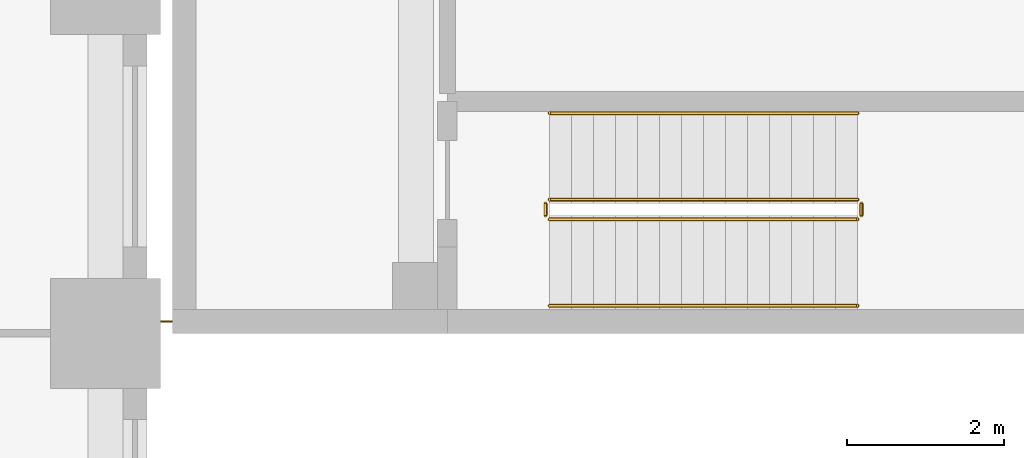
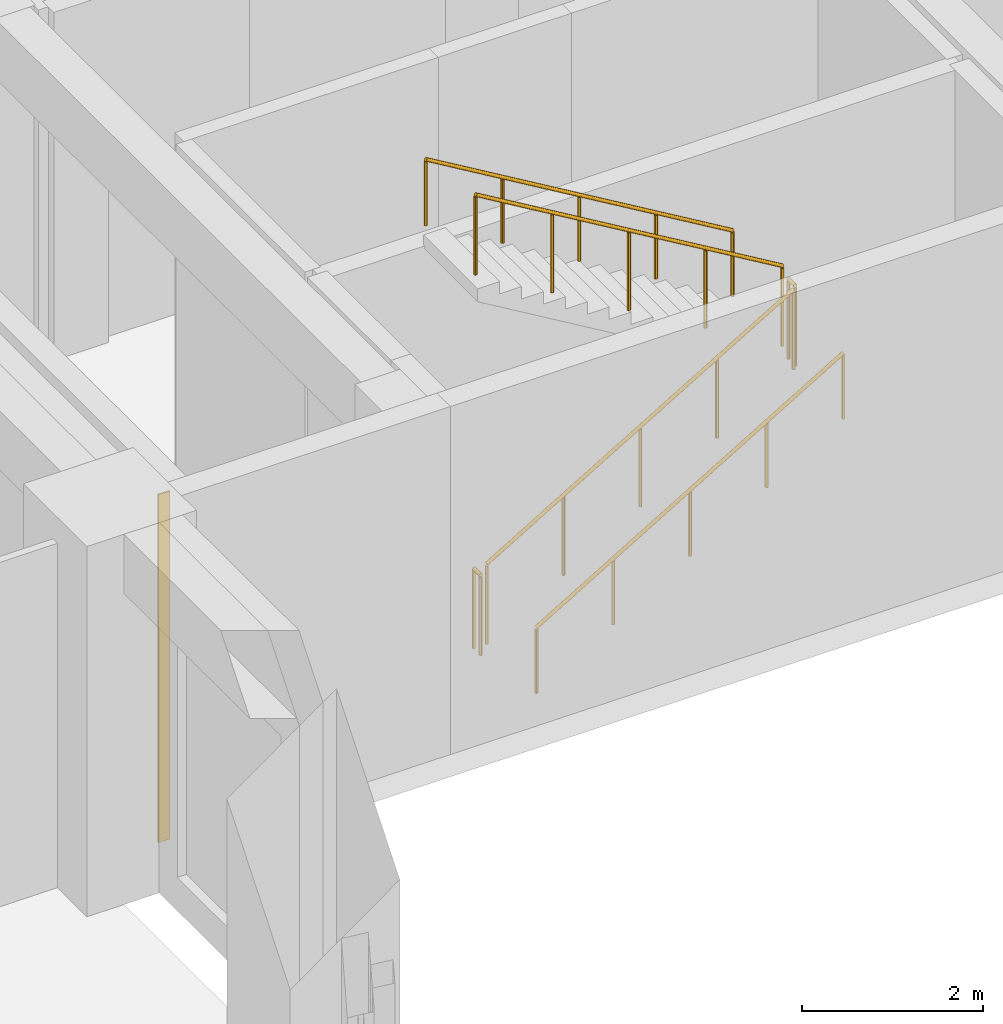
# One storey, part 21 of 25: 6 railings, 1 covering.
"""IFC4 building model written with IfcOpenShell, lengths in metres."""

from ifc_helpers import new_model, si_unit, direction, frame, origin, origin_2d, place, context, subcontext, project, spatial, rectangle, circle, extrude, material, layer, layer_set, type_object, element, save


model = new_model("IFC4")

# Units and contexts
model_context = context("Model", 3, precision=1e-05, world=origin(), true_north=direction((0.0, 1.0)))
body_context = subcontext(model_context, "Body", "Model", "MODEL_VIEW")
ifc_project = project(units=[si_unit("LENGTHUNIT", "METRE"), si_unit("AREAUNIT", "SQUARE_METRE"), si_unit("VOLUMEUNIT", "CUBIC_METRE"), si_unit("PLANEANGLEUNIT", "RADIAN"), si_unit("MASSUNIT", "GRAM", prefix="KILO")], contexts=[model_context])

# Site, building, storey
site_placement = place(None, origin())
site = spatial("IfcSite", under=ifc_project, at=site_placement, CompositionType="ELEMENT")
building_placement = place(site_placement, origin())
building = spatial("IfcBuilding", under=site, at=building_placement, Name="Girih Gate Residences", CompositionType="ELEMENT")
storey_placement = place(building_placement, frame((0.0, 0.0, 6.0)))
storey = spatial("IfcBuildingStorey", under=building, at=storey_placement, Name="L01", CompositionType="ELEMENT", Elevation=6.0)

# Railings
ifc_material_1 = material(Name="Stainless steel railing", Category="steel")
railing_type_1 = type_object("IfcRailingType", Name="HC Guard 1100", PredefinedType="GUARDRAIL", material=ifc_material_1)
railing_1_placement = place(storey_placement, frame((55.14990234375, 10.449951171875, 0.166748046875)))
element("IfcRailing", 1, at=railing_1_placement, inside=storey, type_object=railing_type_1, Name="L01 HC-STA stair guard 1", PredefinedType="GUARDRAIL", context=body_context, shape_type="SweptSolid", body=[
    extrude(circle(Radius=0.02392578125, at=origin_2d()), frame((0.0, 0.0, 1.076171875), z_axis=(0.859310244771, 0.0, 0.511454693235), x_axis=(0.0, 1.0, 0.0)), (0.0, 0.0, 1.0), 4.56201171875),
    extrude(circle(Radius=0.02099609375, at=origin_2d()), origin(), (0.0, 0.0, 1.0), 1.052001953125),
    extrude(circle(Radius=0.02099609375, at=origin_2d()), frame((0.97998046875, 0.0, 0.583251953125)), (0.0, 0.0, 1.0), 1.052001953125),
    extrude(circle(Radius=0.02099609375, at=origin_2d()), frame((1.9599609375, 0.0, 1.16650390625)), (0.0, 0.0, 1.0), 1.052001953125),
    extrude(circle(Radius=0.02099609375, at=origin_2d()), frame((2.940185546875, 0.0, 1.75)), (0.0, 0.0, 1.0), 1.052001953125),
    extrude(circle(Radius=0.02099609375, at=origin_2d()), frame((3.920166015625, 0.0, 2.333251953125)), (0.0, 0.0, 1.0), 1.052001953125),
])
railing_2_placement = place(storey_placement, frame((59.1201171875, 10.5, 2.5)))
element("IfcRailing", 2, at=railing_2_placement, inside=storey, type_object=railing_type_1, Name="L01 HC-STA stair guard 2", PredefinedType="GUARDRAIL", context=body_context, shape_type="SweptSolid", body=[
    extrude(circle(Radius=0.02392578125, at=origin_2d()), frame((0.0, 0.0, 1.076171875), z_axis=(0.0, 1.0, 0.0), x_axis=(-1.0, 0.0, 0.0)), (0.0, 0.0, 1.0), 0.14990234375),
    extrude(circle(Radius=0.02099609375, at=origin_2d()), origin(), (0.0, 0.0, 1.0), 1.052001953125),
    extrude(circle(Radius=0.02099609375, at=origin_2d()), frame((0.0, 0.14990234375, 0.0)), (0.0, 0.0, 1.0), 1.052001953125),
])
railing_3_placement = place(storey_placement, frame((59.070068359375, 10.699951171875, 2.666748046875)))
element("IfcRailing", 3, at=railing_3_placement, inside=storey, type_object=railing_type_1, Name="L01 HC-STA stair guard 3", PredefinedType="GUARDRAIL", context=body_context, shape_type="SweptSolid", body=[
    extrude(circle(Radius=0.02392578125, at=origin_2d()), frame((0.0, 0.0, 1.076171875), z_axis=(-0.859310244771, 0.0, 0.511454693235), x_axis=(0.0, -1.0, 0.0)), (0.0, 0.0, 1.0), 4.56201171875),
    extrude(circle(Radius=0.02099609375, at=origin_2d()), origin(), (0.0, 0.0, 1.0), 1.052001953125),
    extrude(circle(Radius=0.02099609375, at=origin_2d()), frame((-0.97998046875, 0.0, 0.583251953125)), (0.0, 0.0, 1.0), 1.052001953125),
    extrude(circle(Radius=0.02099609375, at=origin_2d()), frame((-1.9599609375, 0.0, 1.16650390625)), (0.0, 0.0, 1.0), 1.052001953125),
    extrude(circle(Radius=0.02099609375, at=origin_2d()), frame((-2.940185546875, 0.0, 1.75)), (0.0, 0.0, 1.0), 1.052001953125),
    extrude(circle(Radius=0.02099609375, at=origin_2d()), frame((-3.920166015625, 0.0, 2.333251953125)), (0.0, 0.0, 1.0), 1.052001953125),
])
railing_4_placement = place(storey_placement, frame((55.10009765625, 10.5, 0.0)))
element("IfcRailing", 4, at=railing_4_placement, inside=storey, type_object=railing_type_1, Name="L01 HC-STA stair guard 4", PredefinedType="GUARDRAIL", context=body_context, shape_type="SweptSolid", body=[
    extrude(circle(Radius=0.02392578125, at=origin_2d()), frame((0.0, 0.0, 1.076171875), z_axis=(0.0, 1.0, 0.0), x_axis=(-1.0, 0.0, 0.0)), (0.0, 0.0, 1.0), 0.14990234375),
    extrude(circle(Radius=0.02099609375, at=origin_2d()), origin(), (0.0, 0.0, 1.0), 1.052001953125),
    extrude(circle(Radius=0.02099609375, at=origin_2d()), frame((0.0, 0.14990234375, 0.0)), (0.0, 0.0, 1.0), 1.052001953125),
])
railing_type_2 = type_object("IfcRailingType", Name="HC Handrail 900", PredefinedType="HANDRAIL", material=ifc_material_1)
railing_5_placement = place(storey_placement, frame((55.14990234375, 9.35009765625, 0.166748046875)))
element("IfcRailing", 5, at=railing_5_placement, inside=storey, type_object=railing_type_2, Name="L01 HC-STA stair handrail 1", PredefinedType="HANDRAIL", context=body_context, shape_type="SweptSolid", body=[
    extrude(circle(Radius=0.02392578125, at=origin_2d()), frame((0.0, 0.0, 0.8857421875), z_axis=(0.859310244771, 0.0, 0.511454693235), x_axis=(0.0, 1.0, 0.0)), (0.0, 0.0, 1.0), 4.56201171875),
    extrude(circle(Radius=0.02099609375, at=origin_2d()), origin(), (0.0, 0.0, 1.0), 0.86181640625),
    extrude(circle(Radius=0.02099609375, at=origin_2d()), frame((0.97998046875, 0.0, 0.583251953125)), (0.0, 0.0, 1.0), 0.86181640625),
    extrude(circle(Radius=0.02099609375, at=origin_2d()), frame((1.9599609375, 0.0, 1.16650390625)), (0.0, 0.0, 1.0), 0.86181640625),
    extrude(circle(Radius=0.02099609375, at=origin_2d()), frame((2.940185546875, 0.0, 1.75)), (0.0, 0.0, 1.0), 0.86181640625),
    extrude(circle(Radius=0.02099609375, at=origin_2d()), frame((3.920166015625, 0.0, 2.333251953125)), (0.0, 0.0, 1.0), 0.86181640625),
])
railing_6_placement = place(storey_placement, frame((59.070068359375, 11.800048828125, 2.666748046875)))
element("IfcRailing", 6, at=railing_6_placement, inside=storey, type_object=railing_type_2, Name="L01 HC-STA stair handrail 2", PredefinedType="HANDRAIL", context=body_context, shape_type="SweptSolid", body=[
    extrude(circle(Radius=0.02392578125, at=origin_2d()), frame((0.0, 0.0, 0.8857421875), z_axis=(-0.859310244771, 0.0, 0.511454693235), x_axis=(0.0, -1.0, 0.0)), (0.0, 0.0, 1.0), 4.56201171875),
    extrude(circle(Radius=0.02099609375, at=origin_2d()), origin(), (0.0, 0.0, 1.0), 0.86181640625),
    extrude(circle(Radius=0.02099609375, at=origin_2d()), frame((-0.97998046875, 0.0, 0.583251953125)), (0.0, 0.0, 1.0), 0.86181640625),
    extrude(circle(Radius=0.02099609375, at=origin_2d()), frame((-1.9599609375, 0.0, 1.16650390625)), (0.0, 0.0, 1.0), 0.86181640625),
    extrude(circle(Radius=0.02099609375, at=origin_2d()), frame((-2.940185546875, 0.0, 1.75)), (0.0, 0.0, 1.0), 0.86181640625),
    extrude(circle(Radius=0.02099609375, at=origin_2d()), frame((-3.920166015625, 0.0, 2.333251953125)), (0.0, 0.0, 1.0), 0.86181640625),
])

# Covering
ifc_material_2 = material(Name="Stainless steel cover plate", Category="steel")
ifc_layer = layer(ifc_material_2, 0.02001953125)
ifc_layer_set = layer_set([ifc_layer], Name="HC Movement joint cover plate")
covering_type = type_object("IfcCoveringType", Name="HC Movement joint cover plate", PredefinedType="CLADDING", material=ifc_layer_set)
covering_placement = place(storey_placement, frame((50.27490234375, 9.14990234375, 0.0), z_axis=(0.0, 0.0, 1.0), x_axis=(1.0, 0.0, 0.0)))
element("IfcCovering", 7, at=covering_placement, inside=storey, type_object=covering_type, Name="L01 joint between tower and health centre cover plate 1", PredefinedType="CLADDING", context=body_context, shape_type="SweptSolid", body=[
    extrude(rectangle(XDim=0.14990234375, YDim=0.02001953125, at=origin_2d()), origin(), (0.0, 0.0, 1.0), 4.699951171875),
])

save(model, "model.ifc")
